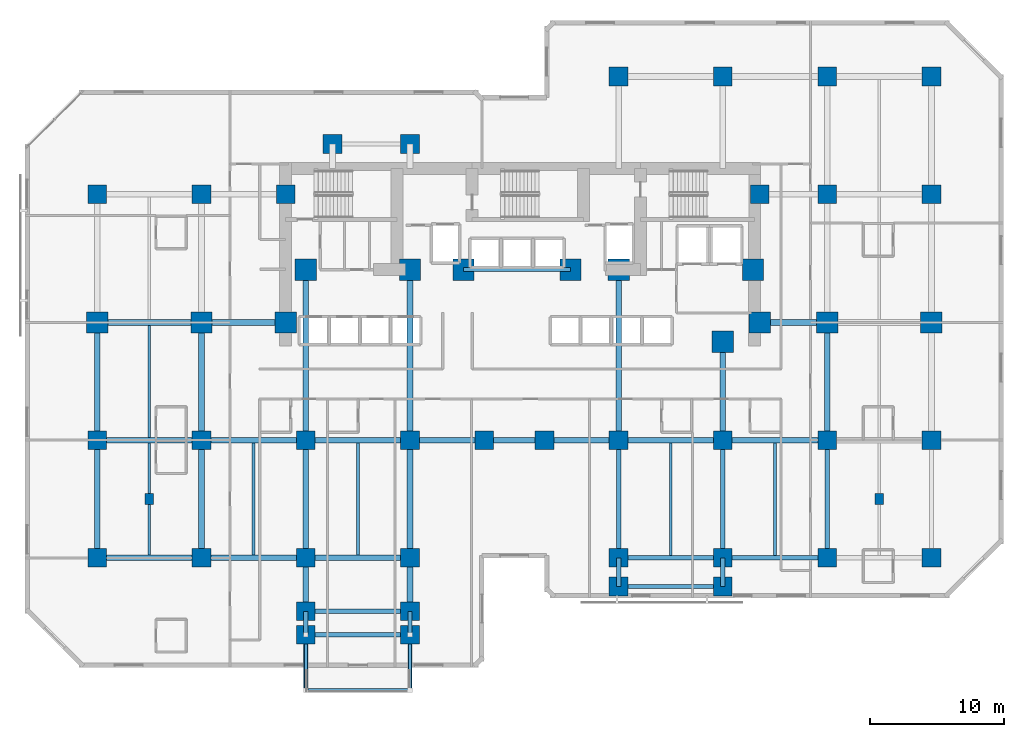
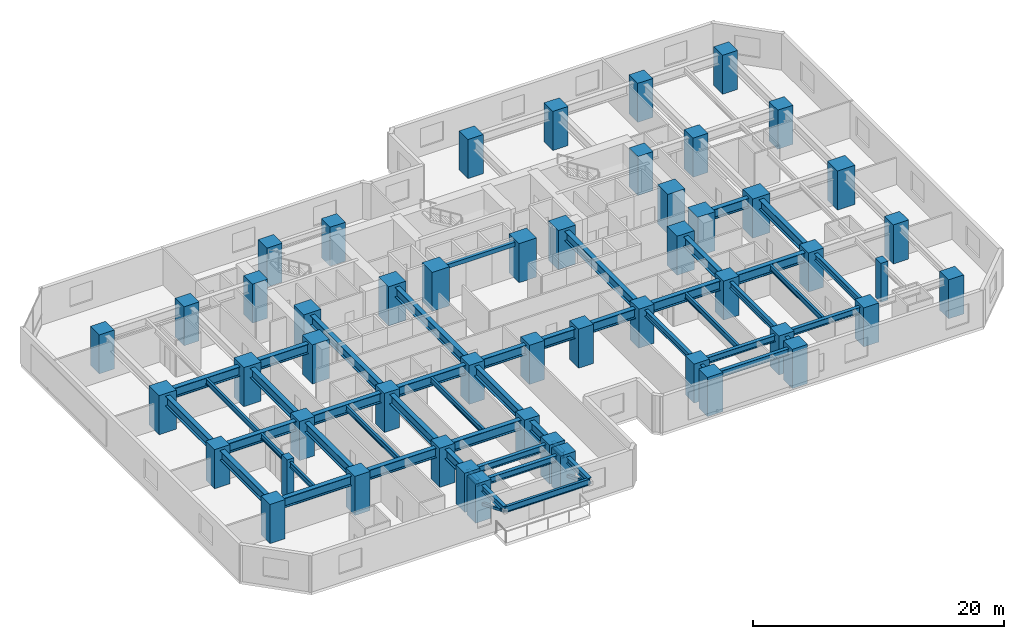
# One storey, part 1 of 12: 51 columns, 49 beams, 2 members.
"""IFC4 building model written with IfcOpenShell, lengths in metres."""

from ifc_helpers import new_model, si_unit, direction, frame, origin, origin_2d, place, context, subcontext, project, spatial, rectangle, hollow_rectangle, i_section, extrude, material, material_profile, profile_set, type_object, element, save


model = new_model("IFC4")

# Units and contexts
model_context = context("Model", 3, precision=1e-05, world=origin(), true_north=direction((0.0, 1.0)))
body_context = subcontext(model_context, "Body", "Model", "MODEL_VIEW")
ifc_project = project(units=[si_unit("LENGTHUNIT", "METRE"), si_unit("AREAUNIT", "SQUARE_METRE"), si_unit("VOLUMEUNIT", "CUBIC_METRE"), si_unit("PLANEANGLEUNIT", "RADIAN"), si_unit("MASSUNIT", "GRAM", prefix="KILO")], contexts=[model_context])

# Site, building, storey
site_placement = place(None, origin())
site = spatial("IfcSite", under=ifc_project, at=site_placement, CompositionType="ELEMENT")
building_placement = place(site_placement, origin())
building = spatial("IfcBuilding", under=site, at=building_placement, Name="Kestravale Grand Hotel", CompositionType="ELEMENT")
storey_placement = place(building_placement, frame((0.0, 0.0, 56.39990234375)))
storey = spatial("IfcBuildingStorey", under=building, at=storey_placement, Name="L13", CompositionType="ELEMENT", Elevation=56.39990234375)

# Columns
ifc_material_1 = material(Name="Concrete f'c 70 MPa", Category="concrete")
ifc_material_profile_1 = material_profile(ifc_material_1, rectangle(XDim=1.39990234375, YDim=1.39990234375, at=origin_2d()))
ifc_profile_set_1 = profile_set([ifc_material_profile_1], Name="Concrete f'c 70 MPa")
column_type_1 = type_object("IfcColumnType", Name="C-Z1-1400", PredefinedType="COLUMN", material=ifc_profile_set_1)
for number, where, z_axis, x_axis, name in (
    (1, (7.800048828125, 11.199951171875, 0.0), (0.0, 0.0, 1.0), (1.0, 0.0, 0.0), "L13 column 2-C"),
    (2, (7.800048828125, 20.0, 0.0), (0.0, 0.0, 1.0), (1.0, 0.0, 0.0), "L13 column 2-D"),
    (3, (7.800048828125, 38.39990234375, 0.0), (0.0, 0.0, 1.0), (1.0, 0.0, 0.0), "L13 column 2-F"),
    (4, (15.60009765625, 11.199951171875, 0.0), (0.0, 0.0, 1.0), (1.0, 0.0, 0.0), "L13 column 3-C"),
    (5, (15.60009765625, 20.0, 0.0), (0.0, 0.0, 1.0), (1.0, 0.0, 0.0), "L13 column 3-D"),
    (6, (15.60009765625, 38.39990234375, 0.0), (0.0, 0.0, 1.0), (1.0, 0.0, 0.0), "L13 column 3-F"),
    (7, (23.39990234375, 11.199951171875, 0.0), (0.0, 0.0, 1.0), (1.0, 0.0, 0.0), "L13 column 4-C"),
    (8, (23.39990234375, 20.0, 0.0), (0.0, 0.0, 1.0), (1.0, 0.0, 0.0), "L13 column 4-D"),
    (9, (31.199951171875, 11.199951171875, 0.0), (0.0, 0.0, 1.0), (1.0, 0.0, 0.0), "L13 column 5-C"),
    (10, (31.199951171875, 20.0, 0.0), (0.0, 0.0, 1.0), (1.0, 0.0, 0.0), "L13 column 5-D"),
    (11, (36.75, 20.0, 0.0), (0.0, 0.0, 1.0), (1.0, 0.0, 0.0), "L13 column 6-D"),
    (12, (41.25, 20.0, 0.0), (0.0, 0.0, 1.0), (1.0, 0.0, 0.0), "L13 column 7-D"),
    (13, (46.800048828125, 11.199951171875, 0.0), (0.0, 0.0, 1.0), (1.0, 0.0, 0.0), "L13 column 8-C"),
    (14, (46.800048828125, 20.0, 0.0), (0.0, 0.0, 1.0), (1.0, 0.0, 0.0), "L13 column 8-D"),
    (15, (46.800048828125, 47.199951171875, 0.0), (0.0, 0.0, 1.0), (1.0, 0.0, 0.0), "L13 column 8-G"),
    (16, (54.60009765625, 11.199951171875, 0.0), (0.0, 0.0, 1.0), (1.0, 0.0, 0.0), "L13 column 9-C"),
    (17, (54.60009765625, 20.0, 0.0), (0.0, 0.0, 1.0), (1.0, 0.0, 0.0), "L13 column 9-D"),
    (18, (54.60009765625, 47.199951171875, 0.0), (0.0, 0.0, 1.0), (1.0, 0.0, 0.0), "L13 column 9-G"),
    (19, (62.39990234375, 11.199951171875, 0.0), (0.0, 0.0, 1.0), (1.0, 0.0, 0.0), "L13 column 10-C"),
    (20, (62.39990234375, 20.0, 0.0), (0.0, 0.0, 1.0), (1.0, 0.0, 0.0), "L13 column 10-D"),
    (21, (62.39990234375, 38.39990234375, 0.0), (0.0, 0.0, 1.0), (1.0, 0.0, 0.0), "L13 column 10-F"),
    (22, (62.39990234375, 47.199951171875, 0.0), (0.0, 0.0, 1.0), (1.0, 0.0, 0.0), "L13 column 10-G"),
    (23, (70.199951171875, 11.199951171875, 0.0), (0.0, 0.0, 1.0), (1.0, 0.0, 0.0), "L13 column 11-C"),
    (24, (70.199951171875, 20.0, 0.0), (0.0, 0.0, 1.0), (1.0, 0.0, 0.0), "L13 column 11-D"),
    (25, (70.199951171875, 38.39990234375, 0.0), (0.0, 0.0, 1.0), (1.0, 0.0, 0.0), "L13 column 11-F"),
    (26, (70.199951171875, 47.199951171875, 0.0), (0.0, 0.0, 1.0), (1.0, 0.0, 0.0), "L13 column 11-G"),
    (27, (21.89990234375, 38.39990234375, 0.0), (0.0, 0.0, 1.0), (1.0, 0.0, 0.0), "L13 column CW-F"),
    (28, (57.35009765625, 38.39990234375, 0.0), (0.0, 0.0, 1.0), (1.0, 0.0, 0.0), "L13 column CE-F"),
    (29, (23.39990234375, 7.199951171875, 0.0), (0.0, 0.0, 1.0), (1.0, 0.0, 0.0), "L13 column 4-BS"),
    (30, (31.199951171875, 7.199951171875, 0.0), (0.0, 0.0, 1.0), (1.0, 0.0, 0.0), "L13 column 5-BS"),
    (31, (25.39990234375, 42.14990234375, 0.0), (0.0, 0.0, 1.0), (1.0, 0.0, 0.0), "L13 column 4-FN"),
    (32, (31.199951171875, 42.14990234375, 0.0), (0.0, 0.0, 1.0), (1.0, 0.0, 0.0), "L13 column 5-FN"),
    (33, (23.39990234375, 5.449951171875, 0.0), (0.0, 0.0, 1.0), (1.0, 0.0, 0.0), "L13 column 4-B1S"),
    (34, (31.199951171875, 5.449951171875, 0.0), (0.0, 0.0, 1.0), (1.0, 0.0, 0.0), "L13 column 5-B1S"),
    (35, (46.800048828125, 9.050048828125, 0.0), (0.0, 0.0, 1.0), (1.0, 0.0, 0.0), "L13 column 8-B1E"),
    (36, (54.60009765625, 9.050048828125, 0.0), (0.0, 0.0, 1.0), (1.0, 0.0, 0.0), "L13 column 9-B1E"),
):
    element("IfcColumn", number, at=place(storey_placement, frame(where, z_axis=z_axis, x_axis=x_axis)), inside=storey, type_object=column_type_1, Name=name, PredefinedType="COLUMN", context=body_context, shape_type="SweptSolid", body=[
        extrude(rectangle(XDim=1.39990234375, YDim=1.39990234375, at=origin_2d()), origin(), (0.0, 0.0, 1.0), 3.800048828125),
    ])
ifc_material_2 = material(Name="Concrete f'c 70 MPa", Category="concrete")
ifc_material_profile_2 = material_profile(ifc_material_2, rectangle(XDim=1.60009765625, YDim=1.60009765625, at=origin_2d()))
ifc_profile_set_2 = profile_set([ifc_material_profile_2], Name="Concrete f'c 70 MPa")
column_type_2 = type_object("IfcColumnType", Name="C-Z1-1600", PredefinedType="COLUMN", material=ifc_profile_set_2)
for number, where, z_axis, x_axis, name in (
    (37, (7.800048828125, 28.800048828125, 0.0), (0.0, 0.0, 1.0), (1.0, 0.0, 0.0), "L13 column 2-E"),
    (38, (15.60009765625, 28.800048828125, 0.0), (0.0, 0.0, 1.0), (1.0, 0.0, 0.0), "L13 column 3-E"),
    (39, (62.39990234375, 28.800048828125, 0.0), (0.0, 0.0, 1.0), (1.0, 0.0, 0.0), "L13 column 10-E"),
    (40, (70.199951171875, 28.800048828125, 0.0), (0.0, 0.0, 1.0), (1.0, 0.0, 0.0), "L13 column 11-E"),
    (41, (21.89990234375, 28.800048828125, 0.0), (0.0, 0.0, 1.0), (1.0, 0.0, 0.0), "L13 column CW-E"),
    (42, (57.35009765625, 28.800048828125, 0.0), (0.0, 0.0, 1.0), (1.0, 0.0, 0.0), "L13 column CE-E"),
    (43, (23.39990234375, 32.75, 0.0), (0.0, 0.0, 1.0), (1.0, 0.0, 0.0), "L13 column 4-CS"),
    (44, (31.199951171875, 32.75, 0.0), (0.0, 0.0, 1.0), (1.0, 0.0, 0.0), "L13 column 5-CS"),
    (45, (35.199951171875, 32.75, 0.0), (0.0, 0.0, 1.0), (1.0, 0.0, 0.0), "L13 column 6C-CS"),
    (46, (43.199951171875, 32.75, 0.0), (0.0, 0.0, 1.0), (1.0, 0.0, 0.0), "L13 column 7C-CS"),
    (47, (46.800048828125, 32.75, 0.0), (0.0, 0.0, 1.0), (1.0, 0.0, 0.0), "L13 column 8-CS"),
    (48, (54.60009765625, 27.35009765625, 0.0), (0.0, 0.0, 1.0), (1.0, 0.0, 0.0), "L13 column 9-CS"),
    (49, (56.85009765625, 32.75, 0.0), (0.0, 0.0, 1.0), (1.0, 0.0, 0.0), "L13 column 9C-CS"),
):
    element("IfcColumn", number, at=place(storey_placement, frame(where, z_axis=z_axis, x_axis=x_axis)), inside=storey, type_object=column_type_2, Name=name, PredefinedType="COLUMN", context=body_context, shape_type="SweptSolid", body=[
        extrude(rectangle(XDim=1.60009765625, YDim=1.60009765625, at=origin_2d()), origin(), (0.0, 0.0, 1.0), 3.800048828125),
    ])
ifc_material_3 = material(Name="Precast concrete f'c 45 MPa", Category="concrete")
ifc_material_profile_3 = material_profile(ifc_material_3, rectangle(XDim=0.64990234375, YDim=0.85009765625, at=origin_2d()))
ifc_profile_set_3 = profile_set([ifc_material_profile_3], Name="Precast concrete f'c 45 MPa")
column_type_3 = type_object("IfcColumnType", Name="C-Z1-PIL850", PredefinedType="PILASTER", material=ifc_profile_set_3)
for number, where, z_axis, x_axis, name in (
    (50, (11.699951171875, 15.60009765625, 0.0), (0.0, 0.0, 1.0), (1.0, 0.0, 0.0), "L13 Art Deco fluted pilaster P1"),
    (51, (66.300048828125, 15.60009765625, 0.0), (0.0, 0.0, 1.0), (1.0, 0.0, 0.0), "L13 Art Deco fluted pilaster P2"),
):
    element("IfcColumn", number, at=place(storey_placement, frame(where, z_axis=z_axis, x_axis=x_axis)), inside=storey, type_object=column_type_3, Name=name, PredefinedType="PILASTER", context=body_context, shape_type="SweptSolid", body=[
        extrude(rectangle(XDim=0.64990234375, YDim=0.85009765625, at=origin_2d()), origin(), (0.0, 0.0, 1.0), 3.800048828125),
    ])

# Beams
ifc_material_4 = material(Name="Steel ASTM A992 Grade 50", Category="steel")
ifc_material_profile_4 = material_profile(ifc_material_4, i_section(OverallWidth=0.2099609375, OverallDepth=0.535888671875, WebThickness=0.010986328125, FlangeThickness=0.017333984375, FilletRadius=0.017578125, at=origin_2d()))
ifc_profile_set_4 = profile_set([ifc_material_profile_4], Name="Steel ASTM A992 Grade 50")
beam_type_1 = type_object("IfcBeamType", Name="B-FLR-JST21", PredefinedType="JOIST", material=ifc_profile_set_4)
for number, where, z_axis, x_axis, name in (
    (52, (11.699951171875, 11.412109375, 3.272216796875), (0.0, 1.0, 0.0), (-1.0, 0.0, 0.0), "L13 floor joist 2-3/C-D #1"),
    (53, (11.699951171875, 20.2119140625, 3.272216796875), (0.0, 1.0, 0.0), (-1.0, 0.0, 0.0), "L13 floor joist 2-3/D-E #1"),
    (54, (19.5, 11.412109375, 3.272216796875), (0.0, 1.0, 0.0), (-1.0, 0.0, 0.0), "L13 floor joist 3-4/C-D #1"),
    (55, (27.300048828125, 11.412109375, 3.272216796875), (0.0, 1.0, 0.0), (-1.0, 0.0, 0.0), "L13 floor joist 4-5/C-D #1"),
):
    element("IfcBeam", number, at=place(storey_placement, frame(where, z_axis=z_axis, x_axis=x_axis)), inside=storey, type_object=beam_type_1, Name=name, PredefinedType="JOIST", context=body_context, shape_type="SweptSolid", body=[
        extrude(i_section(OverallWidth=0.2099609375, OverallDepth=0.535888671875, WebThickness=0.010986328125, FlangeThickness=0.017333984375, FilletRadius=0.017578125, at=origin_2d()), origin(), (0.0, 0.0, 1.0), 8.3759765625),
    ])
for number, where, z_axis, x_axis, name in (
    (56, (50.699951171875, 11.362548828125, 3.272216796875), (0.0, 1.0, 0.0), (-1.0, 0.0, 0.0), "L13 floor joist 8-9/C-D #1"),
    (57, (58.5, 11.362548828125, 3.272216796875), (0.0, 1.0, 0.0), (-1.0, 0.0, 0.0), "L13 floor joist 9-10/C-D #1"),
):
    element("IfcBeam", number, at=place(storey_placement, frame(where, z_axis=z_axis, x_axis=x_axis)), inside=storey, type_object=beam_type_1, Name=name, PredefinedType="JOIST", context=body_context, shape_type="SweptSolid", body=[
        extrude(i_section(OverallWidth=0.2099609375, OverallDepth=0.535888671875, WebThickness=0.010986328125, FlangeThickness=0.017333984375, FilletRadius=0.017578125, at=origin_2d()), origin(), (0.0, 0.0, 1.0), 8.425537109375),
    ])
ifc_material_5 = material(Name="Concrete f'c 45 MPa", Category="concrete")
ifc_material_profile_5 = material_profile(ifc_material_5, rectangle(XDim=0.300048828125, YDim=0.39990234375, at=origin_2d()))
ifc_profile_set_5 = profile_set([ifc_material_profile_5], Name="Concrete f'c 45 MPa")
beam_type_2 = type_object("IfcBeamType", Name="B-FLR-LNT400", PredefinedType="LINTEL", material=ifc_profile_set_5)
beam_1_placement = place(storey_placement, frame((35.199951171875, 32.75, 3.340087890625), z_axis=(1.0, 0.0, 0.0), x_axis=(0.0, 1.0, 0.0)))
element("IfcBeam", 58, at=beam_1_placement, inside=storey, type_object=beam_type_2, Name="L13 core portal header lintel", PredefinedType="LINTEL", context=body_context, shape_type="SweptSolid", body=[
    extrude(rectangle(XDim=0.300048828125, YDim=0.39990234375, at=origin_2d()), origin(), (0.0, 0.0, 1.0), 8.0),
])
ifc_material_6 = material(Name="Steel ASTM A992 Grade 50", Category="steel")
ifc_material_profile_6 = material_profile(ifc_material_6, i_section(OverallWidth=0.324951171875, OverallDepth=0.612060546875, WebThickness=0.0126953125, FlangeThickness=0.01904296875, FilletRadius=0.018798828125, at=origin_2d()))
ifc_profile_set_6 = profile_set([ifc_material_profile_6], Name="Steel ASTM A992 Grade 50")
beam_type_3 = type_object("IfcBeamType", Name="B-FLR-W24A", PredefinedType="SPANDREL", material=ifc_profile_set_6)
beam_2_placement = place(storey_placement, frame((46.800048828125, 11.199951171875, 3.234130859375), z_axis=(1.0, 0.0, 0.0), x_axis=(0.0, 1.0, 0.0)))
element("IfcBeam", 59, at=beam_2_placement, inside=storey, type_object=beam_type_3, Name="L13 spandrel C:8-9", PredefinedType="SPANDREL", context=body_context, shape_type="SweptSolid", body=[
    extrude(i_section(OverallWidth=0.324951171875, OverallDepth=0.612060546875, WebThickness=0.0126953125, FlangeThickness=0.01904296875, FilletRadius=0.018798828125, at=origin_2d()), origin(), (0.0, 0.0, 1.0), 7.800048828125),
])
beam_3_placement = place(storey_placement, frame((54.60009765625, 11.199951171875, 3.234130859375), z_axis=(1.0, 0.0, 0.0), x_axis=(0.0, 1.0, 0.0)))
element("IfcBeam", 60, at=beam_3_placement, inside=storey, type_object=beam_type_3, Name="L13 spandrel C:9-10", PredefinedType="SPANDREL", context=body_context, shape_type="SweptSolid", body=[
    extrude(i_section(OverallWidth=0.324951171875, OverallDepth=0.612060546875, WebThickness=0.0126953125, FlangeThickness=0.01904296875, FilletRadius=0.018798828125, at=origin_2d()), origin(), (0.0, 0.0, 1.0), 7.7998046875),
])
for number, where, z_axis, x_axis, name in (
    (61, (23.39990234375, 5.449951171875, 3.234130859375), (1.0, 0.0, 0.0), (0.0, 1.0, 0.0), "L13 perimeter tie spandrel B1S:4-5"),
    (62, (46.800048828125, 9.050048828125, 3.234130859375), (1.0, 0.0, 0.0), (0.0, 1.0, 0.0), "L13 perimeter tie spandrel B1E:8-9"),
    (63, (23.39990234375, 7.199951171875, 3.234130859375), (1.0, 0.0, 0.0), (0.0, 1.0, 0.0), "L13 perimeter tie spandrel BS:4-5"),
):
    element("IfcBeam", number, at=place(storey_placement, frame(where, z_axis=z_axis, x_axis=x_axis)), inside=storey, type_object=beam_type_3, Name=name, PredefinedType="SPANDREL", context=body_context, shape_type="SweptSolid", body=[
        extrude(i_section(OverallWidth=0.324951171875, OverallDepth=0.612060546875, WebThickness=0.0126953125, FlangeThickness=0.01904296875, FilletRadius=0.018798828125, at=origin_2d()), origin(), (0.0, 0.0, 1.0), 7.800048828125),
    ])
for number, where, z_axis, x_axis, name in (
    (64, (23.39990234375, 5.449951171875, 3.234130859375), (0.0, 1.0, 0.0), (-1.0, 0.0, 0.0), "L13 spandrel 4:B1S-BS"),
    (65, (31.199951171875, 5.449951171875, 3.234130859375), (0.0, 1.0, 0.0), (-1.0, 0.0, 0.0), "L13 spandrel 5:B1S-BS"),
):
    element("IfcBeam", number, at=place(storey_placement, frame(where, z_axis=z_axis, x_axis=x_axis)), inside=storey, type_object=beam_type_3, Name=name, PredefinedType="SPANDREL", context=body_context, shape_type="SweptSolid", body=[
        extrude(i_section(OverallWidth=0.324951171875, OverallDepth=0.612060546875, WebThickness=0.0126953125, FlangeThickness=0.01904296875, FilletRadius=0.018798828125, at=origin_2d()), origin(), (0.0, 0.0, 1.0), 1.75),
    ])
beam_4_placement = place(storey_placement, frame((46.800048828125, 9.050048828125, 3.234130859375), z_axis=(0.0, 1.0, 0.0), x_axis=(-1.0, 0.0, 0.0)))
element("IfcBeam", 66, at=beam_4_placement, inside=storey, type_object=beam_type_3, Name="L13 spandrel 8:B1E-C", PredefinedType="SPANDREL", context=body_context, shape_type="SweptSolid", body=[
    extrude(i_section(OverallWidth=0.324951171875, OverallDepth=0.612060546875, WebThickness=0.0126953125, FlangeThickness=0.01904296875, FilletRadius=0.018798828125, at=origin_2d()), origin(), (0.0, 0.0, 1.0), 2.14990234375),
])
beam_5_placement = place(storey_placement, frame((46.800048828125, 11.199951171875, 3.234130859375), z_axis=(0.0, 1.0, 0.0), x_axis=(-1.0, 0.0, 0.0)))
element("IfcBeam", 67, at=beam_5_placement, inside=storey, type_object=beam_type_3, Name="L13 spandrel 8:C-D", PredefinedType="SPANDREL", context=body_context, shape_type="SweptSolid", body=[
    extrude(i_section(OverallWidth=0.324951171875, OverallDepth=0.612060546875, WebThickness=0.0126953125, FlangeThickness=0.01904296875, FilletRadius=0.018798828125, at=origin_2d()), origin(), (0.0, 0.0, 1.0), 8.800048828125),
])
beam_6_placement = place(storey_placement, frame((54.60009765625, 9.050048828125, 3.234130859375), z_axis=(0.0, 1.0, 0.0), x_axis=(-1.0, 0.0, 0.0)))
element("IfcBeam", 68, at=beam_6_placement, inside=storey, type_object=beam_type_3, Name="L13 spandrel 9:B1E-C", PredefinedType="SPANDREL", context=body_context, shape_type="SweptSolid", body=[
    extrude(i_section(OverallWidth=0.324951171875, OverallDepth=0.612060546875, WebThickness=0.0126953125, FlangeThickness=0.01904296875, FilletRadius=0.018798828125, at=origin_2d()), origin(), (0.0, 0.0, 1.0), 2.14990234375),
])
for number, where, z_axis, x_axis, name in (
    (69, (54.60009765625, 11.199951171875, 3.234130859375), (0.0, 1.0, 0.0), (-1.0, 0.0, 0.0), "L13 spandrel 9:C-D"),
    (70, (62.39990234375, 11.199951171875, 3.234130859375), (0.0, 1.0, 0.0), (-1.0, 0.0, 0.0), "L13 spandrel 10:C-D"),
):
    element("IfcBeam", number, at=place(storey_placement, frame(where, z_axis=z_axis, x_axis=x_axis)), inside=storey, type_object=beam_type_3, Name=name, PredefinedType="SPANDREL", context=body_context, shape_type="SweptSolid", body=[
        extrude(i_section(OverallWidth=0.324951171875, OverallDepth=0.612060546875, WebThickness=0.0126953125, FlangeThickness=0.01904296875, FilletRadius=0.018798828125, at=origin_2d()), origin(), (0.0, 0.0, 1.0), 8.800048828125),
    ])
for number, where, z_axis, x_axis, name in (
    (71, (23.39990234375, 5.449951171875, 3.22412109375), (0.0, -1.0, 0.0), (1.0, 0.0, 0.0), "L14 terrace cantilever beam 1"),
    (72, (31.199951171875, 5.449951171875, 3.22412109375), (0.0, -1.0, 0.0), (1.0, 0.0, 0.0), "L14 terrace cantilever beam 2"),
):
    element("IfcBeam", number, at=place(storey_placement, frame(where, z_axis=z_axis, x_axis=x_axis)), inside=storey, type_object=beam_type_3, Name=name, PredefinedType="SPANDREL", context=body_context, shape_type="SweptSolid", body=[
        extrude(i_section(OverallWidth=0.324951171875, OverallDepth=0.612060546875, WebThickness=0.0126953125, FlangeThickness=0.01904296875, FilletRadius=0.018798828125, at=origin_2d()), origin(), (0.0, 0.0, 1.0), 4.14990234375),
    ])
ifc_material_7 = material(Name="Steel ASTM A992 Grade 50", Category="steel")
ifc_material_profile_7 = material_profile(ifc_material_7, i_section(OverallWidth=0.22900390625, OverallDepth=0.612060546875, WebThickness=0.011962890625, FlangeThickness=0.01953125, FilletRadius=0.019287109375, at=origin_2d()))
ifc_profile_set_7 = profile_set([ifc_material_profile_7], Name="Steel ASTM A992 Grade 50")
beam_type_4 = type_object("IfcBeamType", Name="B-FLR-W24B", PredefinedType="SPANDREL", material=ifc_profile_set_7)
beam_7_placement = place(storey_placement, frame((23.39990234375, 1.300048828125, 3.22412109375), z_axis=(1.0, 0.0, 0.0), x_axis=(0.0, 1.0, 0.0)))
element("IfcBeam", 73, at=beam_7_placement, inside=storey, type_object=beam_type_4, Name="L14 terrace edge spandrel", PredefinedType="SPANDREL", context=body_context, shape_type="SweptSolid", body=[
    extrude(i_section(OverallWidth=0.22900390625, OverallDepth=0.612060546875, WebThickness=0.011962890625, FlangeThickness=0.01953125, FilletRadius=0.019287109375, at=origin_2d()), origin(), (0.0, 0.0, 1.0), 7.800048828125),
])
ifc_material_8 = material(Name="Steel ASTM A992 Grade 50", Category="steel")
ifc_material_profile_8 = material_profile(ifc_material_8, i_section(OverallWidth=0.424072265625, OverallDepth=0.947021484375, WebThickness=0.02392578125, FlangeThickness=0.042724609375, FilletRadius=0.0283203125, at=origin_2d()))
ifc_profile_set_8 = profile_set([ifc_material_profile_8], Name="Steel ASTM A992 Grade 50")
beam_type_5 = type_object("IfcBeamType", Name="B-GRD-W36", PredefinedType="BEAM", material=ifc_profile_set_8)
beam_8_placement = place(storey_placement, frame((7.800048828125, 11.199951171875, 3.066650390625), z_axis=(1.0, 0.0, 0.0), x_axis=(0.0, 1.0, 0.0)))
element("IfcBeam", 74, at=beam_8_placement, inside=storey, type_object=beam_type_5, Name="L13 girder C:2-3", PredefinedType="BEAM", context=body_context, shape_type="SweptSolid", body=[
    extrude(i_section(OverallWidth=0.424072265625, OverallDepth=0.947021484375, WebThickness=0.02392578125, FlangeThickness=0.042724609375, FilletRadius=0.0283203125, at=origin_2d()), origin(), (0.0, 0.0, 1.0), 7.800048828125),
])
beam_9_placement = place(storey_placement, frame((15.60009765625, 11.199951171875, 3.066650390625), z_axis=(1.0, 0.0, 0.0), x_axis=(0.0, 1.0, 0.0)))
element("IfcBeam", 75, at=beam_9_placement, inside=storey, type_object=beam_type_5, Name="L13 girder C:3-4", PredefinedType="BEAM", context=body_context, shape_type="SweptSolid", body=[
    extrude(i_section(OverallWidth=0.424072265625, OverallDepth=0.947021484375, WebThickness=0.02392578125, FlangeThickness=0.042724609375, FilletRadius=0.0283203125, at=origin_2d()), origin(), (0.0, 0.0, 1.0), 7.7998046875),
])
for number, where, z_axis, x_axis, name in (
    (76, (23.39990234375, 11.199951171875, 3.066650390625), (1.0, 0.0, 0.0), (0.0, 1.0, 0.0), "L13 girder C:4-5"),
    (77, (7.800048828125, 20.0, 3.066650390625), (1.0, 0.0, 0.0), (0.0, 1.0, 0.0), "L13 girder D:2-3"),
):
    element("IfcBeam", number, at=place(storey_placement, frame(where, z_axis=z_axis, x_axis=x_axis)), inside=storey, type_object=beam_type_5, Name=name, PredefinedType="BEAM", context=body_context, shape_type="SweptSolid", body=[
        extrude(i_section(OverallWidth=0.424072265625, OverallDepth=0.947021484375, WebThickness=0.02392578125, FlangeThickness=0.042724609375, FilletRadius=0.0283203125, at=origin_2d()), origin(), (0.0, 0.0, 1.0), 7.800048828125),
    ])
beam_10_placement = place(storey_placement, frame((15.60009765625, 20.0, 3.066650390625), z_axis=(1.0, 0.0, 0.0), x_axis=(0.0, 1.0, 0.0)))
element("IfcBeam", 78, at=beam_10_placement, inside=storey, type_object=beam_type_5, Name="L13 girder D:3-4", PredefinedType="BEAM", context=body_context, shape_type="SweptSolid", body=[
    extrude(i_section(OverallWidth=0.424072265625, OverallDepth=0.947021484375, WebThickness=0.02392578125, FlangeThickness=0.042724609375, FilletRadius=0.0283203125, at=origin_2d()), origin(), (0.0, 0.0, 1.0), 7.7998046875),
])
beam_11_placement = place(storey_placement, frame((23.39990234375, 20.0, 3.066650390625), z_axis=(1.0, 0.0, 0.0), x_axis=(0.0, 1.0, 0.0)))
element("IfcBeam", 79, at=beam_11_placement, inside=storey, type_object=beam_type_5, Name="L13 girder D:4-5", PredefinedType="BEAM", context=body_context, shape_type="SweptSolid", body=[
    extrude(i_section(OverallWidth=0.424072265625, OverallDepth=0.947021484375, WebThickness=0.02392578125, FlangeThickness=0.042724609375, FilletRadius=0.0283203125, at=origin_2d()), origin(), (0.0, 0.0, 1.0), 7.800048828125),
])
beam_12_placement = place(storey_placement, frame((31.199951171875, 20.0, 3.066650390625), z_axis=(1.0, 0.0, 0.0), x_axis=(0.0, 1.0, 0.0)))
element("IfcBeam", 80, at=beam_12_placement, inside=storey, type_object=beam_type_5, Name="L13 girder D:5-6", PredefinedType="BEAM", context=body_context, shape_type="SweptSolid", body=[
    extrude(i_section(OverallWidth=0.424072265625, OverallDepth=0.947021484375, WebThickness=0.02392578125, FlangeThickness=0.042724609375, FilletRadius=0.0283203125, at=origin_2d()), origin(), (0.0, 0.0, 1.0), 5.550048828125),
])
beam_13_placement = place(storey_placement, frame((36.75, 20.0, 3.066650390625), z_axis=(1.0, 0.0, 0.0), x_axis=(0.0, 1.0, 0.0)))
element("IfcBeam", 81, at=beam_13_placement, inside=storey, type_object=beam_type_5, Name="L13 girder D:6-7", PredefinedType="BEAM", context=body_context, shape_type="SweptSolid", body=[
    extrude(i_section(OverallWidth=0.424072265625, OverallDepth=0.947021484375, WebThickness=0.02392578125, FlangeThickness=0.042724609375, FilletRadius=0.0283203125, at=origin_2d()), origin(), (0.0, 0.0, 1.0), 4.5),
])
beam_14_placement = place(storey_placement, frame((41.25, 20.0, 3.066650390625), z_axis=(1.0, 0.0, 0.0), x_axis=(0.0, 1.0, 0.0)))
element("IfcBeam", 82, at=beam_14_placement, inside=storey, type_object=beam_type_5, Name="L13 girder D:7-8", PredefinedType="BEAM", context=body_context, shape_type="SweptSolid", body=[
    extrude(i_section(OverallWidth=0.424072265625, OverallDepth=0.947021484375, WebThickness=0.02392578125, FlangeThickness=0.042724609375, FilletRadius=0.0283203125, at=origin_2d()), origin(), (0.0, 0.0, 1.0), 5.550048828125),
])
beam_15_placement = place(storey_placement, frame((46.800048828125, 20.0, 3.066650390625), z_axis=(1.0, 0.0, 0.0), x_axis=(0.0, 1.0, 0.0)))
element("IfcBeam", 83, at=beam_15_placement, inside=storey, type_object=beam_type_5, Name="L13 girder D:8-9", PredefinedType="BEAM", context=body_context, shape_type="SweptSolid", body=[
    extrude(i_section(OverallWidth=0.424072265625, OverallDepth=0.947021484375, WebThickness=0.02392578125, FlangeThickness=0.042724609375, FilletRadius=0.0283203125, at=origin_2d()), origin(), (0.0, 0.0, 1.0), 7.800048828125),
])
beam_16_placement = place(storey_placement, frame((54.60009765625, 20.0, 3.066650390625), z_axis=(1.0, 0.0, 0.0), x_axis=(0.0, 1.0, 0.0)))
element("IfcBeam", 84, at=beam_16_placement, inside=storey, type_object=beam_type_5, Name="L13 girder D:9-10", PredefinedType="BEAM", context=body_context, shape_type="SweptSolid", body=[
    extrude(i_section(OverallWidth=0.424072265625, OverallDepth=0.947021484375, WebThickness=0.02392578125, FlangeThickness=0.042724609375, FilletRadius=0.0283203125, at=origin_2d()), origin(), (0.0, 0.0, 1.0), 7.7998046875),
])
beam_17_placement = place(storey_placement, frame((7.800048828125, 28.800048828125, 3.066650390625), z_axis=(1.0, 0.0, 0.0), x_axis=(0.0, 1.0, 0.0)))
element("IfcBeam", 85, at=beam_17_placement, inside=storey, type_object=beam_type_5, Name="L13 girder E:2-3", PredefinedType="BEAM", context=body_context, shape_type="SweptSolid", body=[
    extrude(i_section(OverallWidth=0.424072265625, OverallDepth=0.947021484375, WebThickness=0.02392578125, FlangeThickness=0.042724609375, FilletRadius=0.0283203125, at=origin_2d()), origin(), (0.0, 0.0, 1.0), 7.800048828125),
])
beam_18_placement = place(storey_placement, frame((15.60009765625, 28.800048828125, 3.066650390625), z_axis=(1.0, 0.0, 0.0), x_axis=(0.0, 1.0, 0.0)))
element("IfcBeam", 86, at=beam_18_placement, inside=storey, type_object=beam_type_5, Name="L13 girder E:3-CW", PredefinedType="BEAM", context=body_context, shape_type="SweptSolid", body=[
    extrude(i_section(OverallWidth=0.424072265625, OverallDepth=0.947021484375, WebThickness=0.02392578125, FlangeThickness=0.042724609375, FilletRadius=0.0283203125, at=origin_2d()), origin(), (0.0, 0.0, 1.0), 6.2998046875),
])
beam_19_placement = place(storey_placement, frame((57.35009765625, 28.800048828125, 3.066650390625), z_axis=(1.0, 0.0, 0.0), x_axis=(0.0, 1.0, 0.0)))
element("IfcBeam", 87, at=beam_19_placement, inside=storey, type_object=beam_type_5, Name="L13 girder E:CE-10", PredefinedType="BEAM", context=body_context, shape_type="SweptSolid", body=[
    extrude(i_section(OverallWidth=0.424072265625, OverallDepth=0.947021484375, WebThickness=0.02392578125, FlangeThickness=0.042724609375, FilletRadius=0.0283203125, at=origin_2d()), origin(), (0.0, 0.0, 1.0), 5.0498046875),
])
for number, where, z_axis, x_axis, name in (
    (88, (7.800048828125, 11.199951171875, 3.066650390625), (0.0, 1.0, 0.0), (-1.0, 0.0, 0.0), "L13 girder 2:C-D"),
    (89, (7.800048828125, 20.0, 3.066650390625), (0.0, 1.0, 0.0), (-1.0, 0.0, 0.0), "L13 girder 2:D-E"),
    (90, (15.60009765625, 11.199951171875, 3.066650390625), (0.0, 1.0, 0.0), (-1.0, 0.0, 0.0), "L13 girder 3:C-D"),
    (91, (15.60009765625, 20.0, 3.066650390625), (0.0, 1.0, 0.0), (-1.0, 0.0, 0.0), "L13 girder 3:D-E"),
):
    element("IfcBeam", number, at=place(storey_placement, frame(where, z_axis=z_axis, x_axis=x_axis)), inside=storey, type_object=beam_type_5, Name=name, PredefinedType="BEAM", context=body_context, shape_type="SweptSolid", body=[
        extrude(i_section(OverallWidth=0.424072265625, OverallDepth=0.947021484375, WebThickness=0.02392578125, FlangeThickness=0.042724609375, FilletRadius=0.0283203125, at=origin_2d()), origin(), (0.0, 0.0, 1.0), 8.800048828125),
    ])
beam_20_placement = place(storey_placement, frame((23.39990234375, 7.199951171875, 3.066650390625), z_axis=(0.0, 1.0, 0.0), x_axis=(-1.0, 0.0, 0.0)))
element("IfcBeam", 92, at=beam_20_placement, inside=storey, type_object=beam_type_5, Name="L13 girder 4:BS-C", PredefinedType="BEAM", context=body_context, shape_type="SweptSolid", body=[
    extrude(i_section(OverallWidth=0.424072265625, OverallDepth=0.947021484375, WebThickness=0.02392578125, FlangeThickness=0.042724609375, FilletRadius=0.0283203125, at=origin_2d()), origin(), (0.0, 0.0, 1.0), 4.0),
])
beam_21_placement = place(storey_placement, frame((23.39990234375, 11.199951171875, 3.066650390625), z_axis=(0.0, 1.0, 0.0), x_axis=(-1.0, 0.0, 0.0)))
element("IfcBeam", 93, at=beam_21_placement, inside=storey, type_object=beam_type_5, Name="L13 girder 4:C-D", PredefinedType="BEAM", context=body_context, shape_type="SweptSolid", body=[
    extrude(i_section(OverallWidth=0.424072265625, OverallDepth=0.947021484375, WebThickness=0.02392578125, FlangeThickness=0.042724609375, FilletRadius=0.0283203125, at=origin_2d()), origin(), (0.0, 0.0, 1.0), 8.800048828125),
])
beam_22_placement = place(storey_placement, frame((23.39990234375, 20.0, 3.066650390625), z_axis=(0.0, 1.0, 0.0), x_axis=(-1.0, 0.0, 0.0)))
element("IfcBeam", 94, at=beam_22_placement, inside=storey, type_object=beam_type_5, Name="L13 girder 4:D-CS", PredefinedType="BEAM", context=body_context, shape_type="SweptSolid", body=[
    extrude(i_section(OverallWidth=0.424072265625, OverallDepth=0.947021484375, WebThickness=0.02392578125, FlangeThickness=0.042724609375, FilletRadius=0.0283203125, at=origin_2d()), origin(), (0.0, 0.0, 1.0), 12.75),
])
beam_23_placement = place(storey_placement, frame((31.199951171875, 7.199951171875, 3.066650390625), z_axis=(0.0, 1.0, 0.0), x_axis=(-1.0, 0.0, 0.0)))
element("IfcBeam", 95, at=beam_23_placement, inside=storey, type_object=beam_type_5, Name="L13 girder 5:BS-C", PredefinedType="BEAM", context=body_context, shape_type="SweptSolid", body=[
    extrude(i_section(OverallWidth=0.424072265625, OverallDepth=0.947021484375, WebThickness=0.02392578125, FlangeThickness=0.042724609375, FilletRadius=0.0283203125, at=origin_2d()), origin(), (0.0, 0.0, 1.0), 4.0),
])
beam_24_placement = place(storey_placement, frame((31.199951171875, 11.199951171875, 3.066650390625), z_axis=(0.0, 1.0, 0.0), x_axis=(-1.0, 0.0, 0.0)))
element("IfcBeam", 96, at=beam_24_placement, inside=storey, type_object=beam_type_5, Name="L13 girder 5:C-D", PredefinedType="BEAM", context=body_context, shape_type="SweptSolid", body=[
    extrude(i_section(OverallWidth=0.424072265625, OverallDepth=0.947021484375, WebThickness=0.02392578125, FlangeThickness=0.042724609375, FilletRadius=0.0283203125, at=origin_2d()), origin(), (0.0, 0.0, 1.0), 8.800048828125),
])
for number, where, z_axis, x_axis, name in (
    (97, (31.199951171875, 20.0, 3.066650390625), (0.0, 1.0, 0.0), (-1.0, 0.0, 0.0), "L13 girder 5:D-CS"),
    (98, (46.800048828125, 20.0, 3.066650390625), (0.0, 1.0, 0.0), (-1.0, 0.0, 0.0), "L13 girder 8:D-CS"),
):
    element("IfcBeam", number, at=place(storey_placement, frame(where, z_axis=z_axis, x_axis=x_axis)), inside=storey, type_object=beam_type_5, Name=name, PredefinedType="BEAM", context=body_context, shape_type="SweptSolid", body=[
        extrude(i_section(OverallWidth=0.424072265625, OverallDepth=0.947021484375, WebThickness=0.02392578125, FlangeThickness=0.042724609375, FilletRadius=0.0283203125, at=origin_2d()), origin(), (0.0, 0.0, 1.0), 12.75),
    ])
beam_25_placement = place(storey_placement, frame((54.60009765625, 20.0, 3.066650390625), z_axis=(0.0, 1.0, 0.0), x_axis=(-1.0, 0.0, 0.0)))
element("IfcBeam", 99, at=beam_25_placement, inside=storey, type_object=beam_type_5, Name="L13 girder 9:D-CS", PredefinedType="BEAM", context=body_context, shape_type="SweptSolid", body=[
    extrude(i_section(OverallWidth=0.424072265625, OverallDepth=0.947021484375, WebThickness=0.02392578125, FlangeThickness=0.042724609375, FilletRadius=0.0283203125, at=origin_2d()), origin(), (0.0, 0.0, 1.0), 7.35009765625),
])
beam_26_placement = place(storey_placement, frame((62.39990234375, 20.0, 3.066650390625), z_axis=(0.0, 1.0, 0.0), x_axis=(-1.0, 0.0, 0.0)))
element("IfcBeam", 100, at=beam_26_placement, inside=storey, type_object=beam_type_5, Name="L13 girder 10:D-E", PredefinedType="BEAM", context=body_context, shape_type="SweptSolid", body=[
    extrude(i_section(OverallWidth=0.424072265625, OverallDepth=0.947021484375, WebThickness=0.02392578125, FlangeThickness=0.042724609375, FilletRadius=0.0283203125, at=origin_2d()), origin(), (0.0, 0.0, 1.0), 8.800048828125),
])

# Members
ifc_material_9 = material(Name="Steel ASTM A500 Grade C", Category="steel")
ifc_material_profile_9 = material_profile(ifc_material_9, hollow_rectangle(XDim=0.25, YDim=0.25, WallThickness=0.011962890625, InnerFilletRadius=0.011962890625, OuterFilletRadius=0.02392578125, at=origin_2d()))
ifc_profile_set_9 = profile_set([ifc_material_profile_9], Name="Steel ASTM A500 Grade C")
member_type = type_object("IfcMemberType", Name="M-BLT-STR250", PredefinedType="STRUT", material=ifc_profile_set_9)
for number, where, z_axis, x_axis, name in (
    (101, (23.39990234375, 5.449951171875, 1.3740234375), (0.0, -0.925350852517, 0.379111856508), (1.0, 0.0, 0.0), "L14 terrace knee-brace strut 1"),
    (102, (31.199951171875, 5.449951171875, 1.3740234375), (0.0, -0.925350852517, 0.379111856508), (1.0, 0.0, 0.0), "L14 terrace knee-brace strut 2"),
):
    element("IfcMember", number, at=place(storey_placement, frame(where, z_axis=z_axis, x_axis=x_axis)), inside=storey, type_object=member_type, Name=name, PredefinedType="STRUT", context=body_context, shape_type="SweptSolid", body=[
        extrude(hollow_rectangle(XDim=0.25, YDim=0.25, WallThickness=0.011962890625, InnerFilletRadius=0.011962890625, OuterFilletRadius=0.02392578125, at=origin_2d()), origin(), (0.0, 0.0, 1.0), 4.484619140625),
    ])

save(model, "model.ifc")
